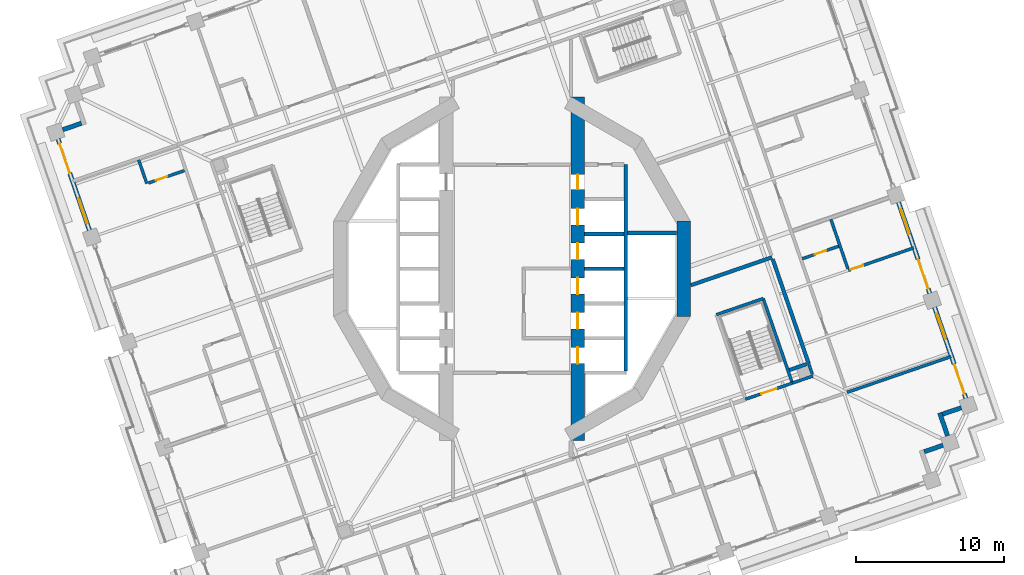
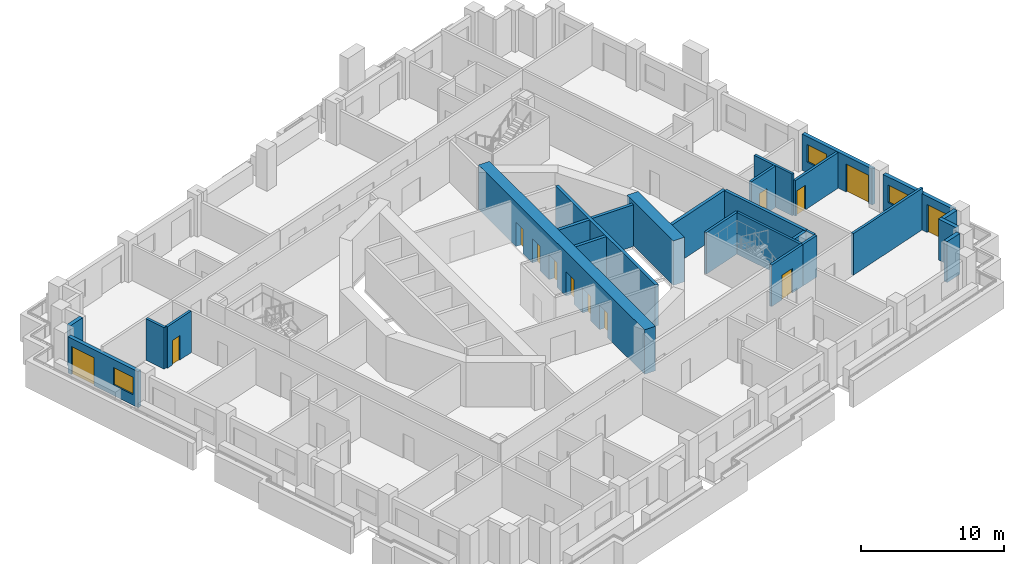
# One storey, part 7 of 18: 27 walls, 13 doors, 3 windows, 16 openings.
"""IFC4 building model written with IfcOpenShell, lengths in metres."""

from ifc_helpers import new_model, si_unit, direction, frame, frame_2d, origin, place, context, subcontext, project, spatial, rectangle, extrude, material, layer, layer_set, type_object, element, fill, save


model = new_model("IFC4")

# Units and contexts
model_context = context("Model", 3, precision=1e-05, world=origin(), true_north=direction((0.0, 1.0)))
body_context = subcontext(model_context, "Body", "Model", "MODEL_VIEW")
ifc_project = project(units=[si_unit("LENGTHUNIT", "METRE"), si_unit("AREAUNIT", "SQUARE_METRE"), si_unit("VOLUMEUNIT", "CUBIC_METRE"), si_unit("PLANEANGLEUNIT", "RADIAN"), si_unit("MASSUNIT", "GRAM", prefix="KILO")], contexts=[model_context])

# Site, building, storey
site_placement = place(None, origin())
site = spatial("IfcSite", under=ifc_project, at=site_placement, CompositionType="ELEMENT")
building_placement = place(site_placement, origin())
building = spatial("IfcBuilding", under=site, at=building_placement, Name="Cantera Rosa Tower", CompositionType="ELEMENT")
storey_placement = place(building_placement, frame((0.0, 0.0, 134.5)))
storey = spatial("IfcBuildingStorey", under=building, at=storey_placement, Name="L28", CompositionType="ELEMENT", Elevation=134.5)

# Walls
ifc_material_1 = material(Name="Gypsum board partition")
ifc_layer_1 = layer(ifc_material_1, 0.199951171875)
ifc_layer_set_1 = layer_set([ifc_layer_1], Name="CORRIDOR WALL 200 H3550")
wall_type_1 = type_object("IfcWallType", Name="CORRIDOR WALL 200 H3550", PredefinedType="PARTITIONING", material=ifc_layer_set_1)
wall_1_placement = place(storey_placement, frame((18.978271484375, -7.7431640625, 0.0), z_axis=(0.0, 0.0, 1.0), x_axis=(0.945529243519, 0.32553717092, 0.0)))
element("IfcWall", 1, at=wall_1_placement, inside=storey, type_object=wall_type_1, Name="CORRIDOR WALL L28-104", PredefinedType="PARTITIONING", context=body_context, shape_type="SweptSolid", body=[
    extrude(rectangle(XDim=1.4765625, YDim=0.199951171875, at=frame_2d((0.73828125, 0.0))), origin(), (0.0, 0.0, 1.0), 3.550048828125),
])
wall_2_placement = place(storey_placement, frame((20.33544921875, -7.14892578125, 0.0), z_axis=(0.0, 0.0, 1.0), x_axis=(-0.32575306004, 0.945454887276, 0.0)))
element("IfcWall", 2, at=wall_2_placement, inside=storey, type_object=wall_type_1, Name="CORRIDOR WALL L28-109", PredefinedType="PARTITIONING", context=body_context, shape_type="SweptSolid", body=[
    extrude(rectangle(XDim=0.760009765625, YDim=0.199951171875, at=frame_2d((0.3798828125, 0.0))), origin(), (0.0, 0.0, 1.0), 3.550048828125),
])
ifc_material_2 = material(Name="Hollow clay masonry with cantera stone cladding", Category="masonry")
ifc_layer_2 = layer(ifc_material_2, 0.300048828125)
ifc_layer_set_2 = layer_set([ifc_layer_2], Name="EW-LOGGIA 300")
wall_type_2 = type_object("IfcWallType", Name="EW-LOGGIA 300", PredefinedType="SOLIDWALL", material=ifc_layer_set_2)
wall_3_placement = place(storey_placement, frame((-29.14404296875, 9.84814453125, 0.0), z_axis=(0.0, 0.0, 1.0), x_axis=(-0.945526634763, -0.325544748006, 0.0)))
element("IfcWall", 3, at=wall_3_placement, inside=storey, type_object=wall_type_2, Name="EN-L28-W15b", PredefinedType="SOLIDWALL", context=body_context, shape_type="SweptSolid", body=[
    extrude(rectangle(XDim=1.349853515625, YDim=0.300048828125, at=frame_2d((0.6748046875, 0.0))), origin(), (0.0, 0.0, 1.0), 3.5),
])
wall_4_placement = place(storey_placement, frame((27.904052734375, -12.390380859375, 0.0), z_axis=(0.0, 0.0, 1.0), x_axis=(0.945545797087, 0.325489086777, 0.0)))
element("IfcWall", 4, at=wall_4_placement, inside=storey, type_object=wall_type_2, Name="EN-L28-W29b", PredefinedType="SOLIDWALL", context=body_context, shape_type="SweptSolid", body=[
    extrude(rectangle(XDim=1.35009765625, YDim=0.300048828125, at=frame_2d((0.675048828125, 0.0))), origin(), (0.0, 0.0, 1.0), 3.5),
])
wall_5_placement = place(storey_placement, frame((29.490478515625, -11.315185546875, 0.0), z_axis=(0.0, 0.0, 1.0), x_axis=(-0.32553462645, 0.945530119553, 0.0)))
element("IfcWall", 5, at=wall_5_placement, inside=storey, type_object=wall_type_2, Name="EN-L28-W30a", PredefinedType="SOLIDWALL", context=body_context, shape_type="SweptSolid", body=[
    extrude(rectangle(XDim=1.64990234375, YDim=0.300048828125, at=frame_2d((0.824951171875, 0.0))), origin(), (0.0, 0.0, 1.0), 3.5),
])
wall_6_placement = place(storey_placement, frame((29.14404296875, -9.84814453125, 0.0), z_axis=(0.0, 0.0, 1.0), x_axis=(0.945526634763, 0.325544748006, 0.0)))
element("IfcWall", 6, at=wall_6_placement, inside=storey, type_object=wall_type_2, Name="EN-L28-W30b", PredefinedType="SOLIDWALL", context=body_context, shape_type="SweptSolid", body=[
    extrude(rectangle(XDim=1.349853515625, YDim=0.300048828125, at=frame_2d((0.6748046875, 0.0))), origin(), (0.0, 0.0, 1.0), 3.5),
])

# Wall, openings, window, door
ifc_material_3 = material(Name="Hollow clay masonry with cantera stone cladding", Category="masonry")
ifc_layer_3 = layer(ifc_material_3, 0.300048828125)
ifc_layer_set_3 = layer_set([ifc_layer_3], Name="EW-LOGGIA 300 H3090")
wall_type_3 = type_object("IfcWallType", Name="EW-LOGGIA 300 H3090", PredefinedType="SOLIDWALL", material=ifc_layer_set_3)
wall_7_placement = place(storey_placement, frame((30.73046875, -8.773193359375, 0.0), z_axis=(0.0, 0.0, 1.0), x_axis=(-0.325580990241, 0.945514155787, 0.0)))
wall_7 = element("IfcWall", 7, at=wall_7_placement, inside=storey, type_object=wall_type_3, Name="EN-L28-W01", PredefinedType="SOLIDWALL", context=body_context, shape_type="SweptSolid", body=[
    extrude(rectangle(XDim=6.52001953125, YDim=0.300048828125, at=frame_2d((3.260009765625, 0.0))), origin(), (0.0, 0.0, 1.0), 3.090087890625),
])
opening_1_placement = place(wall_7_placement, frame((0.330078125, 0.0, 0.0)))
opening_1 = element("IfcOpeningElement", 8, at=opening_1_placement, cuts=wall_7, Name="Opening L28-TD01", PredefinedType="OPENING", context=body_context, shape_type="SweptSolid", body=[
    extrude(rectangle(XDim=2.10009765625, YDim=2.39990234375, at=frame_2d((1.050048828125, 1.199951171875))), frame((0.0, 0.159912109375, 0.0), z_axis=(0.0, -1.0, 0.0), x_axis=(1.0, 0.0, 0.0)), (0.0, 0.0, 1.0), 0.320068359375),
])
opening_2_placement = place(wall_7_placement, frame((4.239990234375, 0.0, 0.89990234375)))
opening_2 = element("IfcOpeningElement", 9, at=opening_2_placement, cuts=wall_7, Name="Opening L28-W02", PredefinedType="OPENING", context=body_context, shape_type="SweptSolid", body=[
    extrude(rectangle(XDim=1.800048828125, YDim=1.5, at=frame_2d((0.89990234375, 0.75))), frame((0.0, 0.159912109375, 0.0), z_axis=(0.0, -1.0, 0.0), x_axis=(1.0, 0.0, 0.0)), (0.0, 0.0, 1.0), 0.320068359375),
])
ifc_material_4 = material(Name="Aluminium frame with clear glass", Category="aluminium")
window_type = type_object("IfcWindowType", Name="Hotel room window 1800x1500", PartitioningType="DOUBLE_PANEL_VERTICAL", PredefinedType="WINDOW", material=ifc_material_4)
window_1_placement = place(opening_2_placement, origin())
window_1 = element("IfcWindow", 10, at=window_1_placement, inside=storey, type_object=window_type, Name="WINDOW L28-W02", OverallHeight=1.5, OverallWidth=1.800048828125, PartitioningType="SINGLE_PANEL", PredefinedType="WINDOW", context=body_context, shape_type="SweptSolid", body=[
    extrude(rectangle(XDim=1.800048828125, YDim=1.5, at=frame_2d((0.89990234375, 0.75))), frame((0.0, 0.030029296875, 0.0), z_axis=(0.0, -1.0, 0.0), x_axis=(1.0, 0.0, 0.0)), (0.0, 0.0, 1.0), 0.06005859375),
])
fill(opening_2, window_1)
ifc_material_5 = material(Name="Aluminium frame with clear glass", Category="aluminium")
door_type_1 = type_object("IfcDoorType", Name="TD-H 2100x2400", OperationType="NOTDEFINED", PredefinedType="DOOR", material=ifc_material_5)
door_1_placement = place(opening_1_placement, origin())
door_1 = element("IfcDoor", 11, at=door_1_placement, inside=storey, type_object=door_type_1, Name="LOGGIA DOOR L28-TD01", OperationType="SLIDING_TO_LEFT", OverallHeight=2.39990234375, OverallWidth=2.10009765625, PredefinedType="DOOR", context=body_context, shape_type="SweptSolid", body=[
    extrude(rectangle(XDim=2.10009765625, YDim=2.39990234375, at=frame_2d((1.050048828125, 1.199951171875))), frame((0.0, 0.02490234375, 0.0), z_axis=(0.0, -1.0, 0.0), x_axis=(1.0, 0.0, 0.0)), (0.0, 0.0, 1.0), 0.050048828125),
])
fill(opening_1, door_1)

wall_8_placement = place(storey_placement, frame((28.2822265625, -1.662841796875, 0.0), z_axis=(0.0, 0.0, 1.0), x_axis=(-0.325580990241, 0.945514155787, 0.0)))
wall_8 = element("IfcWall", 12, at=wall_8_placement, inside=storey, type_object=wall_type_3, Name="EN-L28-W02", PredefinedType="SOLIDWALL", context=body_context, shape_type="SweptSolid", body=[
    extrude(rectangle(XDim=6.52001953125, YDim=0.300048828125, at=frame_2d((3.260009765625, 0.0))), origin(), (0.0, 0.0, 1.0), 3.090087890625),
])
opening_3_placement = place(wall_8_placement, frame((0.330078125, 0.0, 0.0)))
opening_3 = element("IfcOpeningElement", 13, at=opening_3_placement, cuts=wall_8, Name="Opening L28-TD03", PredefinedType="OPENING", context=body_context, shape_type="SweptSolid", body=[
    extrude(rectangle(XDim=2.10009765625, YDim=2.39990234375, at=frame_2d((1.050048828125, 1.199951171875))), frame((0.0, 0.159912109375, 0.0), z_axis=(0.0, -1.0, 0.0), x_axis=(1.0, 0.0, 0.0)), (0.0, 0.0, 1.0), 0.320068359375),
])
opening_4_placement = place(wall_8_placement, frame((4.239990234375, 0.0, 0.89990234375)))
opening_4 = element("IfcOpeningElement", 14, at=opening_4_placement, cuts=wall_8, Name="Opening L28-W04", PredefinedType="OPENING", context=body_context, shape_type="SweptSolid", body=[
    extrude(rectangle(XDim=1.800048828125, YDim=1.5, at=frame_2d((0.89990234375, 0.75))), frame((0.0, 0.159912109375, 0.0), z_axis=(0.0, -1.0, 0.0), x_axis=(1.0, 0.0, 0.0)), (0.0, 0.0, 1.0), 0.320068359375),
])
window_2_placement = place(opening_4_placement, origin())
window_2 = element("IfcWindow", 15, at=window_2_placement, inside=storey, type_object=window_type, Name="WINDOW L28-W04", OverallHeight=1.5, OverallWidth=1.800048828125, PartitioningType="SINGLE_PANEL", PredefinedType="WINDOW", context=body_context, shape_type="SweptSolid", body=[
    extrude(rectangle(XDim=1.800048828125, YDim=1.5, at=frame_2d((0.89990234375, 0.75))), frame((0.0, 0.030029296875, 0.0), z_axis=(0.0, -1.0, 0.0), x_axis=(1.0, 0.0, 0.0)), (0.0, 0.0, 1.0), 0.06005859375),
])
fill(opening_4, window_2)
door_2_placement = place(opening_3_placement, origin())
door_2 = element("IfcDoor", 16, at=door_2_placement, inside=storey, type_object=door_type_1, Name="LOGGIA DOOR L28-TD03", OperationType="SLIDING_TO_LEFT", OverallHeight=2.39990234375, OverallWidth=2.10009765625, PredefinedType="DOOR", context=body_context, shape_type="SweptSolid", body=[
    extrude(rectangle(XDim=2.10009765625, YDim=2.39990234375, at=frame_2d((1.050048828125, 1.199951171875))), frame((0.0, 0.02490234375, 0.0), z_axis=(0.0, -1.0, 0.0), x_axis=(1.0, 0.0, 0.0)), (0.0, 0.0, 1.0), 0.050048828125),
])
fill(opening_3, door_2)

wall_9_placement = place(storey_placement, frame((-30.73046875, 8.773193359375, 0.0), z_axis=(0.0, 0.0, 1.0), x_axis=(0.325580990241, -0.945514155787, 0.0)))
wall_9 = element("IfcWall", 17, at=wall_9_placement, inside=storey, type_object=wall_type_3, Name="EN-L28-W16", PredefinedType="SOLIDWALL", context=body_context, shape_type="SweptSolid", body=[
    extrude(rectangle(XDim=6.52001953125, YDim=0.300048828125, at=frame_2d((3.260009765625, 0.0))), origin(), (0.0, 0.0, 1.0), 3.090087890625),
])
opening_5_placement = place(wall_9_placement, frame((0.330078125, 0.0, 0.0)))
opening_5 = element("IfcOpeningElement", 18, at=opening_5_placement, cuts=wall_9, Name="Opening L28-TD19", PredefinedType="OPENING", context=body_context, shape_type="SweptSolid", body=[
    extrude(rectangle(XDim=2.10009765625, YDim=2.39990234375, at=frame_2d((1.050048828125, 1.199951171875))), frame((0.0, 0.159912109375, 0.0), z_axis=(0.0, -1.0, 0.0), x_axis=(1.0, 0.0, 0.0)), (0.0, 0.0, 1.0), 0.320068359375),
])
opening_6_placement = place(wall_9_placement, frame((4.239990234375, 0.0, 0.89990234375)))
opening_6 = element("IfcOpeningElement", 19, at=opening_6_placement, cuts=wall_9, Name="Opening L28-W20", PredefinedType="OPENING", context=body_context, shape_type="SweptSolid", body=[
    extrude(rectangle(XDim=1.800048828125, YDim=1.5, at=frame_2d((0.89990234375, 0.75))), frame((0.0, 0.159912109375, 0.0), z_axis=(0.0, -1.0, 0.0), x_axis=(1.0, 0.0, 0.0)), (0.0, 0.0, 1.0), 0.320068359375),
])
window_3_placement = place(opening_6_placement, origin())
window_3 = element("IfcWindow", 20, at=window_3_placement, inside=storey, type_object=window_type, Name="WINDOW L28-W20", OverallHeight=1.5, OverallWidth=1.800048828125, PartitioningType="SINGLE_PANEL", PredefinedType="WINDOW", context=body_context, shape_type="SweptSolid", body=[
    extrude(rectangle(XDim=1.800048828125, YDim=1.5, at=frame_2d((0.89990234375, 0.75))), frame((0.0, 0.030029296875, 0.0), z_axis=(0.0, -1.0, 0.0), x_axis=(1.0, 0.0, 0.0)), (0.0, 0.0, 1.0), 0.06005859375),
])
fill(opening_6, window_3)
door_3_placement = place(opening_5_placement, origin())
door_3 = element("IfcDoor", 21, at=door_3_placement, inside=storey, type_object=door_type_1, Name="LOGGIA DOOR L28-TD19", OperationType="SLIDING_TO_LEFT", OverallHeight=2.39990234375, OverallWidth=2.10009765625, PredefinedType="DOOR", context=body_context, shape_type="SweptSolid", body=[
    extrude(rectangle(XDim=2.10009765625, YDim=2.39990234375, at=frame_2d((1.050048828125, 1.199951171875))), frame((0.0, 0.02490234375, 0.0), z_axis=(0.0, -1.0, 0.0), x_axis=(1.0, 0.0, 0.0)), (0.0, 0.0, 1.0), 0.050048828125),
])
fill(opening_5, door_3)

# Wall, opening, door
ifc_material_6 = material(Name="Gypsum board partition")
ifc_layer_4 = layer(ifc_material_6, 0.199951171875)
ifc_layer_set_4 = layer_set([ifc_layer_4], Name="PARTITION 200 H3050")
wall_type_4 = type_object("IfcWallType", Name="PARTITION 200 H3050", PredefinedType="PARTITIONING", material=ifc_layer_set_4)
wall_10_placement = place(storey_placement, frame((27.1923828125, 1.409912109375, 0.0), z_axis=(0.0, 0.0, 1.0), x_axis=(-0.945510677122, -0.325591092398, 0.0)))
wall_10 = element("IfcWall", 22, at=wall_10_placement, inside=storey, type_object=wall_type_4, Name="PARTITION L28-113", PredefinedType="PARTITIONING", context=body_context, shape_type="SweptSolid", body=[
    extrude(rectangle(XDim=4.669921875, YDim=0.199951171875, at=frame_2d((2.3349609375, 0.0))), origin(), (0.0, 0.0, 1.0), 3.050048828125),
])
opening_7_placement = place(wall_10_placement, frame((3.6201171875, 0.0, 0.0)))
opening_7 = element("IfcOpeningElement", 23, at=opening_7_placement, cuts=wall_10, Name="Opening L28-018", PredefinedType="OPENING", context=body_context, shape_type="SweptSolid", body=[
    extrude(rectangle(XDim=0.89990234375, YDim=2.10009765625, at=frame_2d((0.449951171875, 1.050048828125))), frame((0.0, 0.10986328125, 0.0), z_axis=(0.0, -1.0, 0.0), x_axis=(1.0, 0.0, 0.0)), (0.0, 0.0, 1.0), 0.219970703125),
])
ifc_material_7 = material(Name="Timber door leaf", Category="wood")
door_type_2 = type_object("IfcDoorType", Name="ROOM DOOR 900x2100", OperationType="NOTDEFINED", PredefinedType="DOOR", material=ifc_material_7)
door_4_placement = place(opening_7_placement, origin())
door_4 = element("IfcDoor", 24, at=door_4_placement, inside=storey, type_object=door_type_2, Name="DOOR L28-018", OperationType="NOTDEFINED", OverallHeight=2.10009765625, OverallWidth=0.89990234375, PredefinedType="DOOR", context=body_context, shape_type="SweptSolid", body=[
    extrude(rectangle(XDim=0.89990234375, YDim=2.10009765625, at=frame_2d((0.449951171875, 1.050048828125))), frame((0.0, 0.02490234375, 0.0), z_axis=(0.0, -1.0, 0.0), x_axis=(1.0, 0.0, 0.0)), (0.0, 0.0, 1.0), 0.050048828125),
])
fill(opening_7, door_4)

# Wall
ifc_material_8 = material(Name="Gypsum board partition")
ifc_layer_5 = layer(ifc_material_8, 0.199951171875)
ifc_layer_set_5 = layer_set([ifc_layer_5], Name="PARTITION 200 H3550")
wall_type_5 = type_object("IfcWallType", Name="PARTITION 200 H3550", PredefinedType="PARTITIONING", material=ifc_layer_set_5)
wall_11_placement = place(storey_placement, frame((-24.723876953125, 5.764892578125, 0.0), z_axis=(0.0, 0.0, 1.0), x_axis=(-0.325561349174, 0.945520918819, 0.0)))
element("IfcWall", 25, at=wall_11_placement, inside=storey, type_object=wall_type_5, Name="PARTITION L28-001", PredefinedType="PARTITIONING", context=body_context, shape_type="SweptSolid", body=[
    extrude(rectangle(XDim=1.699951171875, YDim=0.199951171875, at=frame_2d((0.85009765625, 0.0))), origin(), (0.0, 0.0, 1.0), 3.550048828125),
])

# Wall, opening, door
wall_12_placement = place(storey_placement, frame((-22.1708984375, 6.643798828125, 0.0), z_axis=(0.0, 0.0, 1.0), x_axis=(-0.945533766078, -0.325524034759, 0.0)))
wall_12 = element("IfcWall", 26, at=wall_12_placement, inside=storey, type_object=wall_type_5, Name="PARTITION L28-004", PredefinedType="PARTITIONING", context=body_context, shape_type="SweptSolid", body=[
    extrude(rectangle(XDim=2.580078125, YDim=0.199951171875, at=frame_2d((1.2900390625, 0.0))), origin(), (0.0, 0.0, 1.0), 3.550048828125),
])
opening_8_placement = place(wall_12_placement, frame((1.236083984375, 0.0, 0.0)))
opening_8 = element("IfcOpeningElement", 27, at=opening_8_placement, cuts=wall_12, Name="Opening L28-031", PredefinedType="OPENING", context=body_context, shape_type="SweptSolid", body=[
    extrude(rectangle(XDim=0.800048828125, YDim=2.10009765625, at=frame_2d((0.39990234375, 1.050048828125))), frame((0.0, 0.10986328125, 0.0), z_axis=(0.0, -1.0, 0.0), x_axis=(1.0, 0.0, 0.0)), (0.0, 0.0, 1.0), 0.219970703125),
])
ifc_material_9 = material(Name="Timber door leaf", Category="wood")
door_type_3 = type_object("IfcDoorType", Name="BATHROOM DOOR 800x2100", OperationType="NOTDEFINED", PredefinedType="DOOR", material=ifc_material_9)
door_5_placement = place(opening_8_placement, origin())
door_5 = element("IfcDoor", 28, at=door_5_placement, inside=storey, type_object=door_type_3, Name="DOOR L28-031", OperationType="NOTDEFINED", OverallHeight=2.10009765625, OverallWidth=0.800048828125, PredefinedType="DOOR", context=body_context, shape_type="SweptSolid", body=[
    extrude(rectangle(XDim=0.800048828125, YDim=2.10009765625, at=frame_2d((0.39990234375, 1.050048828125))), frame((0.0, 0.02490234375, 0.0), z_axis=(0.0, -1.0, 0.0), x_axis=(1.0, 0.0, 0.0)), (0.0, 0.0, 1.0), 0.050048828125),
])
fill(opening_8, door_5)

# Wall
wall_13_placement = place(storey_placement, frame((21.585205078125, 3.35009765625, 0.0), z_axis=(0.0, 0.0, 1.0), x_axis=(0.325584704023, -0.945512876965, 0.0)))
element("IfcWall", 29, at=wall_13_placement, inside=storey, type_object=wall_type_5, Name="PARTITION L28-110", PredefinedType="PARTITIONING", context=body_context, shape_type="SweptSolid", body=[
    extrude(rectangle(XDim=3.5400390625, YDim=0.199951171875, at=frame_2d((1.77001953125, 0.0))), origin(), (0.0, 0.0, 1.0), 3.550048828125),
])

# Wall, opening, door
wall_14_placement = place(storey_placement, frame((22.109375, 1.52099609375, 0.0), z_axis=(0.0, 0.0, 1.0), x_axis=(-0.945529531574, -0.325536334257, 0.0)))
wall_14 = element("IfcWall", 30, at=wall_14_placement, inside=storey, type_object=wall_type_5, Name="PARTITION L28-111", PredefinedType="PARTITIONING", context=body_context, shape_type="SweptSolid", body=[
    extrude(rectangle(XDim=2.60009765625, YDim=0.199951171875, at=frame_2d((1.300048828125, 0.0))), origin(), (0.0, 0.0, 1.0), 3.550048828125),
])
opening_9_placement = place(wall_14_placement, frame((0.89990234375, 0.0, 0.0)))
opening_9 = element("IfcOpeningElement", 31, at=opening_9_placement, cuts=wall_14, Name="Opening L28-017", PredefinedType="OPENING", context=body_context, shape_type="SweptSolid", body=[
    extrude(rectangle(XDim=0.800048828125, YDim=2.10009765625, at=frame_2d((0.39990234375, 1.050048828125))), frame((0.0, 0.10986328125, 0.0), z_axis=(0.0, -1.0, 0.0), x_axis=(1.0, 0.0, 0.0)), (0.0, 0.0, 1.0), 0.219970703125),
])
door_6_placement = place(opening_9_placement, origin())
door_6 = element("IfcDoor", 32, at=door_6_placement, inside=storey, type_object=door_type_3, Name="DOOR L28-017", OperationType="NOTDEFINED", OverallHeight=2.10009765625, OverallWidth=0.800048828125, PredefinedType="DOOR", context=body_context, shape_type="SweptSolid", body=[
    extrude(rectangle(XDim=0.800048828125, YDim=2.10009765625, at=frame_2d((0.39990234375, 1.050048828125))), frame((0.0, 0.02490234375, 0.0), z_axis=(0.0, -1.0, 0.0), x_axis=(1.0, 0.0, 0.0)), (0.0, 0.0, 1.0), 0.050048828125),
])
fill(opening_9, door_6)

# Walls
ifc_material_10 = material(Name="Gypsum board partition")
ifc_layer_6 = layer(ifc_material_10, 0.199951171875)
ifc_layer_set_6 = layer_set([ifc_layer_6], Name="PARTY WALL 200 H3550")
wall_type_6 = type_object("IfcWallType", Name="PARTY WALL 200 H3550", PredefinedType="PARTITIONING", material=ifc_layer_set_6)
wall_15_placement = place(storey_placement, frame((29.725341796875, -5.9462890625, 0.0), z_axis=(0.0, 0.0, 1.0), x_axis=(-0.945513938048, -0.325581622574, 0.0)))
element("IfcWall", 33, at=wall_15_placement, inside=storey, type_object=wall_type_6, Name="PARTY WALL L28-114", PredefinedType="PARTITIONING", context=body_context, shape_type="SweptSolid", body=[
    extrude(rectangle(XDim=7.449951171875, YDim=0.199951171875, at=frame_2d((3.72509765625, 0.0))), origin(), (0.0, 0.0, 1.0), 3.550048828125),
])
ifc_material_11 = material(Name="Concrete C70/85", Category="concrete")
ifc_layer_7 = layer(ifc_material_11, 0.89990234375)
ifc_layer_set_7 = layer_set([ifc_layer_7], Name="RC CORE WALL 900 C70/85")
wall_type_7 = type_object("IfcWallType", Name="RC CORE WALL 900 C70/85", PredefinedType="SHEAR", material=ifc_layer_set_7)
wall_16_placement = place(storey_placement, frame((11.6240234375, 3.2353515625, 0.0), z_axis=(0.0, 0.0, 1.0), x_axis=(0.0, -1.0, 0.0)))
element("IfcWall", 34, at=wall_16_placement, inside=storey, type_object=wall_type_7, Name="CW-E3 L28", PredefinedType="SHEAR", context=body_context, shape_type="SweptSolid", body=[
    extrude(rectangle(XDim=6.470703125, YDim=0.89990234375, at=frame_2d((3.2353515625, 0.0))), origin(), (0.0, 0.0, 1.0), 3.800048828125),
])

# Wall, openings, doors
wall_17_placement = place(storey_placement, frame((4.449951171875, -11.632568359375, 0.0), z_axis=(0.0, 0.0, 1.0), x_axis=(0.0, 1.0, 0.0)))
wall_17 = element("IfcWall", 35, at=wall_17_placement, inside=storey, type_object=wall_type_7, Name="CW-E6 L28", PredefinedType="SHEAR", context=body_context, shape_type="SweptSolid", body=[
    extrude(rectangle(XDim=23.26513671875, YDim=0.89990234375, at=frame_2d((11.632568359375, 0.0))), origin(), (0.0, 0.0, 1.0), 3.800048828125),
])
opening_10_placement = place(wall_17_placement, frame((7.5576171875, 0.0, 0.0)))
opening_10 = element("IfcOpeningElement", 36, at=opening_10_placement, cuts=wall_17, Name="Opening LD-FF1-L28", PredefinedType="OPENING", context=body_context, shape_type="SweptSolid", body=[
    extrude(rectangle(XDim=1.10009765625, YDim=2.10009765625, at=frame_2d((0.550048828125, 1.050048828125))), frame((0.0, 0.4599609375, 0.0), z_axis=(0.0, -1.0, 0.0), x_axis=(1.0, 0.0, 0.0)), (0.0, 0.0, 1.0), 0.919921875),
])
opening_11_placement = place(wall_17_placement, frame((9.907470703125, 0.0, 0.0)))
opening_11 = element("IfcOpeningElement", 37, at=opening_11_placement, cuts=wall_17, Name="Opening LD-FF2-L28", PredefinedType="OPENING", context=body_context, shape_type="SweptSolid", body=[
    extrude(rectangle(XDim=1.10009765625, YDim=2.10009765625, at=frame_2d((0.550048828125, 1.050048828125))), frame((0.0, 0.4599609375, 0.0), z_axis=(0.0, -1.0, 0.0), x_axis=(1.0, 0.0, 0.0)), (0.0, 0.0, 1.0), 0.919921875),
])
opening_12_placement = place(wall_17_placement, frame((12.257568359375, 0.0, 0.0)))
opening_12 = element("IfcOpeningElement", 38, at=opening_12_placement, cuts=wall_17, Name="Opening LD-P1-L28", PredefinedType="OPENING", context=body_context, shape_type="SweptSolid", body=[
    extrude(rectangle(XDim=1.10009765625, YDim=2.10009765625, at=frame_2d((0.550048828125, 1.050048828125))), frame((0.0, 0.4599609375, 0.0), z_axis=(0.0, -1.0, 0.0), x_axis=(1.0, 0.0, 0.0)), (0.0, 0.0, 1.0), 0.919921875),
])
opening_13_placement = place(wall_17_placement, frame((14.607421875, 0.0, 0.0)))
opening_13 = element("IfcOpeningElement", 39, at=opening_13_placement, cuts=wall_17, Name="Opening LD-P2-L28", PredefinedType="OPENING", context=body_context, shape_type="SweptSolid", body=[
    extrude(rectangle(XDim=1.10009765625, YDim=2.10009765625, at=frame_2d((0.550048828125, 1.050048828125))), frame((0.0, 0.4599609375, 0.0), z_axis=(0.0, -1.0, 0.0), x_axis=(1.0, 0.0, 0.0)), (0.0, 0.0, 1.0), 0.919921875),
])
opening_14_placement = place(wall_17_placement, frame((5.20751953125, 0.0, 0.0)))
opening_14 = element("IfcOpeningElement", 40, at=opening_14_placement, cuts=wall_17, Name="Opening LD-P6-L28", PredefinedType="OPENING", context=body_context, shape_type="SweptSolid", body=[
    extrude(rectangle(XDim=1.10009765625, YDim=2.10009765625, at=frame_2d((0.550048828125, 1.050048828125))), frame((0.0, 0.4599609375, 0.0), z_axis=(0.0, -1.0, 0.0), x_axis=(1.0, 0.0, 0.0)), (0.0, 0.0, 1.0), 0.919921875),
])
opening_15_placement = place(wall_17_placement, frame((17.007568359375, 0.0, 0.0)))
opening_15 = element("IfcOpeningElement", 41, at=opening_15_placement, cuts=wall_17, Name="Opening SD-L28-15", PredefinedType="OPENING", context=body_context, shape_type="SweptSolid", body=[
    extrude(rectangle(XDim=1.0, YDim=2.10009765625, at=frame_2d((0.5, 1.050048828125))), frame((0.0, 0.4599609375, 0.0), z_axis=(0.0, -1.0, 0.0), x_axis=(1.0, 0.0, 0.0)), (0.0, 0.0, 1.0), 0.919921875),
])
ifc_material_12 = material(Name="Steel S355J2 (EN 10025-2)", Category="steel")
door_type_4 = type_object("IfcDoorType", Name="LANDING DOOR 1100x2100", OperationType="NOTDEFINED", PredefinedType="DOOR", material=ifc_material_12)
door_7_placement = place(opening_10_placement, origin())
door_7 = element("IfcDoor", 42, at=door_7_placement, inside=storey, type_object=door_type_4, Name="LANDING DOOR FF1 L28", OperationType="SLIDING_TO_LEFT", OverallHeight=2.10009765625, OverallWidth=1.10009765625, PredefinedType="DOOR", context=body_context, shape_type="SweptSolid", body=[
    extrude(rectangle(XDim=1.10009765625, YDim=2.10009765625, at=frame_2d((0.550048828125, 1.050048828125))), frame((0.0, 0.02490234375, 0.0), z_axis=(0.0, -1.0, 0.0), x_axis=(1.0, 0.0, 0.0)), (0.0, 0.0, 1.0), 0.050048828125),
])
fill(opening_10, door_7)
door_8_placement = place(opening_11_placement, origin())
door_8 = element("IfcDoor", 43, at=door_8_placement, inside=storey, type_object=door_type_4, Name="LANDING DOOR FF2 L28", OperationType="SLIDING_TO_LEFT", OverallHeight=2.10009765625, OverallWidth=1.10009765625, PredefinedType="DOOR", context=body_context, shape_type="SweptSolid", body=[
    extrude(rectangle(XDim=1.10009765625, YDim=2.10009765625, at=frame_2d((0.550048828125, 1.050048828125))), frame((0.0, 0.02490234375, 0.0), z_axis=(0.0, -1.0, 0.0), x_axis=(1.0, 0.0, 0.0)), (0.0, 0.0, 1.0), 0.050048828125),
])
fill(opening_11, door_8)
door_9_placement = place(opening_12_placement, origin())
door_9 = element("IfcDoor", 44, at=door_9_placement, inside=storey, type_object=door_type_4, Name="LANDING DOOR P1 L28", OperationType="SLIDING_TO_LEFT", OverallHeight=2.10009765625, OverallWidth=1.10009765625, PredefinedType="DOOR", context=body_context, shape_type="SweptSolid", body=[
    extrude(rectangle(XDim=1.10009765625, YDim=2.10009765625, at=frame_2d((0.550048828125, 1.050048828125))), frame((0.0, 0.02490234375, 0.0), z_axis=(0.0, -1.0, 0.0), x_axis=(1.0, 0.0, 0.0)), (0.0, 0.0, 1.0), 0.050048828125),
])
fill(opening_12, door_9)
door_10_placement = place(opening_13_placement, origin())
door_10 = element("IfcDoor", 45, at=door_10_placement, inside=storey, type_object=door_type_4, Name="LANDING DOOR P2 L28", OperationType="SLIDING_TO_LEFT", OverallHeight=2.10009765625, OverallWidth=1.10009765625, PredefinedType="DOOR", context=body_context, shape_type="SweptSolid", body=[
    extrude(rectangle(XDim=1.10009765625, YDim=2.10009765625, at=frame_2d((0.550048828125, 1.050048828125))), frame((0.0, 0.02490234375, 0.0), z_axis=(0.0, -1.0, 0.0), x_axis=(1.0, 0.0, 0.0)), (0.0, 0.0, 1.0), 0.050048828125),
])
fill(opening_13, door_10)
door_11_placement = place(opening_14_placement, origin())
door_11 = element("IfcDoor", 46, at=door_11_placement, inside=storey, type_object=door_type_4, Name="LANDING DOOR P6 L28", OperationType="SLIDING_TO_LEFT", OverallHeight=2.10009765625, OverallWidth=1.10009765625, PredefinedType="DOOR", context=body_context, shape_type="SweptSolid", body=[
    extrude(rectangle(XDim=1.10009765625, YDim=2.10009765625, at=frame_2d((0.550048828125, 1.050048828125))), frame((0.0, 0.02490234375, 0.0), z_axis=(0.0, -1.0, 0.0), x_axis=(1.0, 0.0, 0.0)), (0.0, 0.0, 1.0), 0.050048828125),
])
fill(opening_14, door_11)
ifc_material_13 = material(Name="Timber door leaf", Category="wood")
door_type_5 = type_object("IfcDoorType", Name="SERVICE DOOR 1000x2100", OperationType="NOTDEFINED", PredefinedType="DOOR", material=ifc_material_13)
door_12_placement = place(opening_15_placement, origin())
door_12 = element("IfcDoor", 47, at=door_12_placement, inside=storey, type_object=door_type_5, Name="DOOR L28-SD15", OperationType="NOTDEFINED", OverallHeight=2.10009765625, OverallWidth=1.0, PredefinedType="DOOR", context=body_context, shape_type="SweptSolid", body=[
    extrude(rectangle(XDim=1.0, YDim=2.10009765625, at=frame_2d((0.5, 1.050048828125))), frame((0.0, 0.02490234375, 0.0), z_axis=(0.0, -1.0, 0.0), x_axis=(1.0, 0.0, 0.0)), (0.0, 0.0, 1.0), 0.050048828125),
])
fill(opening_15, door_12)

# Walls
ifc_material_14 = material(Name="Masonry blockwork", Category="masonry")
ifc_layer_8 = layer(ifc_material_14, 0.25)
ifc_layer_set_8 = layer_set([ifc_layer_8], Name="SHAFT WALL 250 H3550")
wall_type_8 = type_object("IfcWallType", Name="SHAFT WALL 250 H3550", PredefinedType="SOLIDWALL", material=ifc_layer_set_8)
wall_18_placement = place(storey_placement, frame((4.89990234375, 0.0, 0.0), z_axis=(0.0, 0.0, 1.0), x_axis=(1.0, 0.0, 0.0)))
element("IfcWall", 48, at=wall_18_placement, inside=storey, type_object=wall_type_8, Name="SHAFT WALL L28-065", PredefinedType="SOLIDWALL", context=body_context, shape_type="SweptSolid", body=[
    extrude(rectangle(XDim=2.675048828125, YDim=0.25, at=frame_2d((1.33740234375, 0.0))), origin(), (0.0, 0.0, 1.0), 3.550048828125),
])
wall_19_placement = place(storey_placement, frame((7.699951171875, -6.929931640625, 0.0), z_axis=(0.0, 0.0, 1.0), x_axis=(0.0, 1.0, 0.0)))
element("IfcWall", 49, at=wall_19_placement, inside=storey, type_object=wall_type_8, Name="SHAFT WALL L28-071", PredefinedType="SOLIDWALL", context=body_context, shape_type="SweptSolid", body=[
    extrude(rectangle(XDim=13.97998046875, YDim=0.25, at=frame_2d((6.989990234375, 0.0))), origin(), (0.0, 0.0, 1.0), 3.550048828125),
])
wall_20_placement = place(storey_placement, frame((7.574951171875, 2.35009765625, 0.0), z_axis=(0.0, 0.0, 1.0), x_axis=(-1.0, 0.0, 0.0)))
element("IfcWall", 50, at=wall_20_placement, inside=storey, type_object=wall_type_8, Name="SHAFT WALL L28-073", PredefinedType="SOLIDWALL", context=body_context, shape_type="SweptSolid", body=[
    extrude(rectangle(XDim=2.675048828125, YDim=0.25, at=frame_2d((1.33740234375, 0.0))), origin(), (0.0, 0.0, 1.0), 3.550048828125),
])
wall_21_placement = place(storey_placement, frame((7.824951171875, 2.417724609375, 0.0), z_axis=(0.0, 0.0, 1.0), x_axis=(1.0, 0.0, 0.0)))
element("IfcWall", 51, at=wall_21_placement, inside=storey, type_object=wall_type_8, Name="SHAFT WALL L28-074", PredefinedType="SOLIDWALL", context=body_context, shape_type="SweptSolid", body=[
    extrude(rectangle(XDim=3.319091796875, YDim=0.25, at=frame_2d((1.65966796875, 0.0))), origin(), (0.0, 0.0, 1.0), 3.550048828125),
])
wall_22_placement = place(storey_placement, frame((12.10400390625, -1.120361328125, 0.0), z_axis=(0.0, 0.0, 1.0), x_axis=(0.945524886184, 0.325549826612, 0.0)))
element("IfcWall", 52, at=wall_22_placement, inside=storey, type_object=wall_type_8, Name="SHAFT WALL L28-087", PredefinedType="SOLIDWALL", context=body_context, shape_type="SweptSolid", body=[
    extrude(rectangle(XDim=5.8203125, YDim=0.25, at=frame_2d((2.91015625, 0.0))), origin(), (0.0, 0.0, 1.0), 3.550048828125),
])
wall_23_placement = place(storey_placement, frame((20.081298828125, -6.411376953125, 0.0), z_axis=(0.0, 0.0, 1.0), x_axis=(-0.32556905925, 0.945518264054, 0.0)))
element("IfcWall", 53, at=wall_23_placement, inside=storey, type_object=wall_type_8, Name="SHAFT WALL L28-107", PredefinedType="SOLIDWALL", context=body_context, shape_type="SweptSolid", body=[
    extrude(rectangle(XDim=7.4599609375, YDim=0.25, at=frame_2d((3.72998046875, 0.0))), origin(), (0.0, 0.0, 1.0), 3.550048828125),
])
wall_24_placement = place(storey_placement, frame((19.94921875, -6.45703125, 0.0), z_axis=(0.0, 0.0, 1.0), x_axis=(-0.945538581865, -0.325510046241, 0.0)))
element("IfcWall", 54, at=wall_24_placement, inside=storey, type_object=wall_type_8, Name="SHAFT WALL L28-108", PredefinedType="SOLIDWALL", context=body_context, shape_type="SweptSolid", body=[
    extrude(rectangle(XDim=1.23681640625, YDim=0.25, at=frame_2d((0.618408203125, 0.0))), origin(), (0.0, 0.0, 1.0), 3.550048828125),
])

# Wall, opening, door
ifc_material_15 = material(Name="Concrete C50/60", Category="concrete")
ifc_layer_9 = layer(ifc_material_15, 0.199951171875)
ifc_layer_set_9 = layer_set([ifc_layer_9], Name="STAIR WALL 200 H3550")
wall_type_9 = type_object("IfcWallType", Name="STAIR WALL 200 H3550", PredefinedType="SOLIDWALL", material=ifc_layer_set_9)
wall_25_placement = place(storey_placement, frame((15.810791015625, -8.833740234375, 0.0), z_axis=(0.0, 0.0, 1.0), x_axis=(0.945525450469, 0.325548187702, 0.0)))
wall_25 = element("IfcWall", 55, at=wall_25_placement, inside=storey, type_object=wall_type_9, Name="STAIR WALL L28-096", PredefinedType="SOLIDWALL", context=body_context, shape_type="SweptSolid", body=[
    extrude(rectangle(XDim=3.349853515625, YDim=0.199951171875, at=frame_2d((1.6748046875, 0.0))), origin(), (0.0, 0.0, 1.0), 3.550048828125),
])
opening_16_placement = place(wall_25_placement, frame((1.125, 0.0, 0.0)))
opening_16 = element("IfcOpeningElement", 56, at=opening_16_placement, cuts=wall_25, Name="Opening L28-003", PredefinedType="OPENING", context=body_context, shape_type="SweptSolid", body=[
    extrude(rectangle(XDim=1.10009765625, YDim=2.10009765625, at=frame_2d((0.550048828125, 1.050048828125))), frame((0.0, 0.10986328125, 0.0), z_axis=(0.0, -1.0, 0.0), x_axis=(1.0, 0.0, 0.0)), (0.0, 0.0, 1.0), 0.219970703125),
])
ifc_material_16 = material(Name="Steel S355J2 (EN 10025-2)", Category="steel")
door_type_6 = type_object("IfcDoorType", Name="STAIR DOOR 1100x2100", OperationType="NOTDEFINED", PredefinedType="DOOR", material=ifc_material_16)
door_13_placement = place(opening_16_placement, origin())
door_13 = element("IfcDoor", 57, at=door_13_placement, inside=storey, type_object=door_type_6, Name="DOOR L28-003", OperationType="NOTDEFINED", OverallHeight=2.10009765625, OverallWidth=1.10009765625, PredefinedType="DOOR", context=body_context, shape_type="SweptSolid", body=[
    extrude(rectangle(XDim=1.10009765625, YDim=2.10009765625, at=frame_2d((0.550048828125, 1.050048828125))), frame((0.0, 0.02490234375, 0.0), z_axis=(0.0, -1.0, 0.0), x_axis=(1.0, 0.0, 0.0)), (0.0, 0.0, 1.0), 0.050048828125),
])
fill(opening_16, door_13)

# Walls
wall_26_placement = place(storey_placement, frame((17.007080078125, -2.01806640625, 0.0), z_axis=(0.0, 0.0, 1.0), x_axis=(-0.945503015732, -0.325613340087, 0.0)))
element("IfcWall", 58, at=wall_26_placement, inside=storey, type_object=wall_type_9, Name="STAIR WALL L28-099", PredefinedType="SOLIDWALL", context=body_context, shape_type="SweptSolid", body=[
    extrude(rectangle(XDim=3.35009765625, YDim=0.199951171875, at=frame_2d((1.675048828125, 0.0))), origin(), (0.0, 0.0, 1.0), 3.550048828125),
])
wall_27_placement = place(storey_placement, frame((17.007080078125, -2.01806640625, 0.0), z_axis=(0.0, 0.0, 1.0), x_axis=(0.325550760545, -0.945524564625, 0.0)))
element("IfcWall", 59, at=wall_27_placement, inside=storey, type_object=wall_type_9, Name="STAIR WALL L28-100", PredefinedType="SOLIDWALL", context=body_context, shape_type="SweptSolid", body=[
    extrude(rectangle(XDim=6.054931640625, YDim=0.199951171875, at=frame_2d((3.02734375, 0.0))), origin(), (0.0, 0.0, 1.0), 3.550048828125),
])

save(model, "model.ifc")
